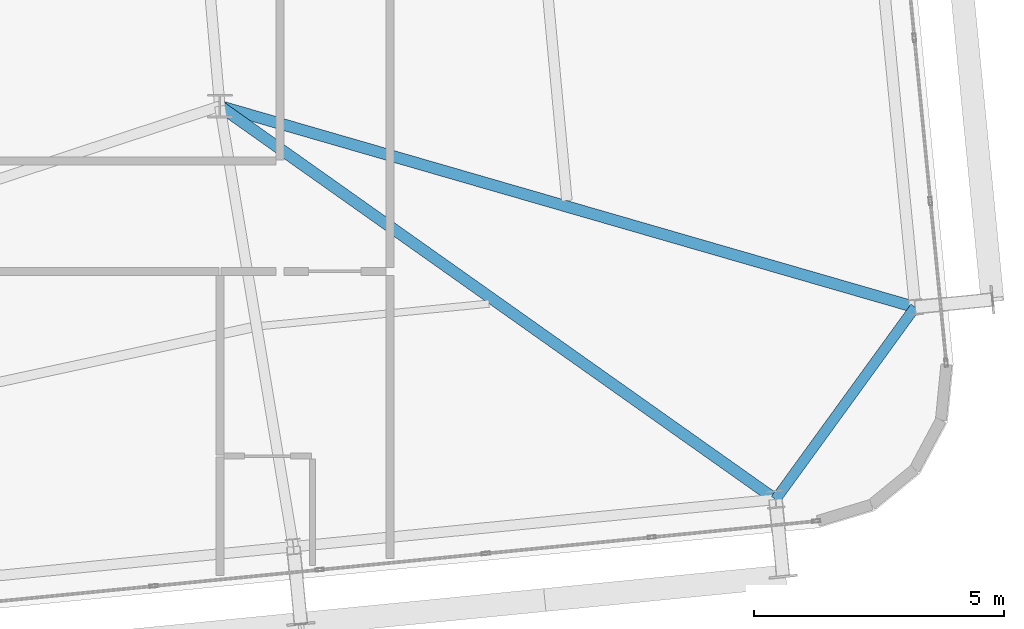
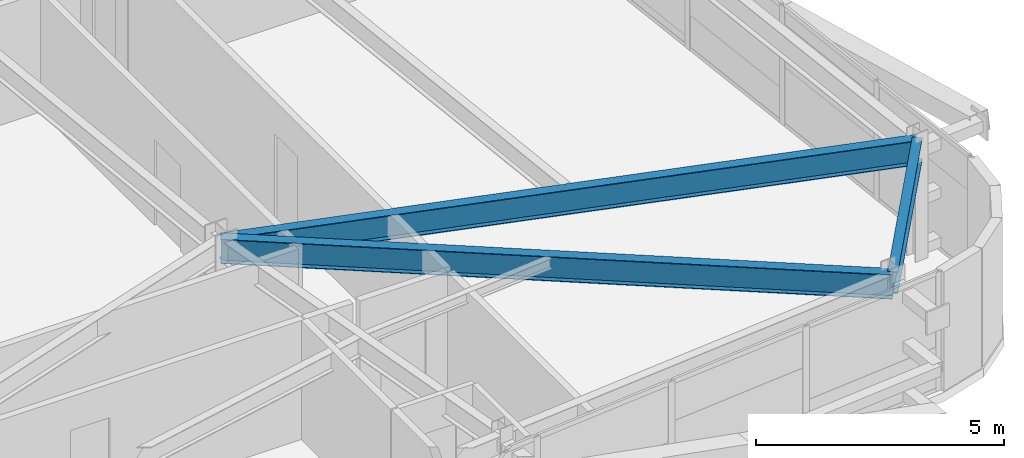
# One storey, part 21 of 53: 3 beams.
"""IFC4 building model written with IfcOpenShell, lengths in metres."""

from ifc_helpers import new_model, si_unit, direction, frame, origin, origin_2d, place, context, subcontext, project, spatial, i_section, extrude, source, transform, mapped, material, material_profile, profile_set, type_object, element, save


model = new_model("IFC4")

# Units and contexts
model_context = context("Model", 3, precision=1e-05, world=origin(), true_north=direction((0.0, 1.0)))
body_context = subcontext(model_context, "Body", "Model", "MODEL_VIEW")
ifc_project = project(units=[si_unit("LENGTHUNIT", "METRE"), si_unit("AREAUNIT", "SQUARE_METRE"), si_unit("VOLUMEUNIT", "CUBIC_METRE"), si_unit("PLANEANGLEUNIT", "RADIAN"), si_unit("MASSUNIT", "GRAM", prefix="KILO")], contexts=[model_context])

# Site, building, storey
site_placement = place(None, origin())
site = spatial("IfcSite", under=ifc_project, at=site_placement, CompositionType="ELEMENT")
building_placement = place(site_placement, origin())
building = spatial("IfcBuilding", under=site, at=building_placement, Name="Taldren Reach Tower", CompositionType="ELEMENT")
storey_placement = place(building_placement, frame((0.0, 0.0, 84.0)))
storey = spatial("IfcBuildingStorey", under=building, at=storey_placement, Name="L25", CompositionType="ELEMENT", Elevation=84.0)

# Beams
ifc_material = material(Name="Steel Gr 350 (350PLUS)", Category="steel")
ifc_material_profile_1 = material_profile(ifc_material, i_section(OverallWidth=0.208984375, OverallDepth=0.528076171875, WebThickness=0.009521484375, FlangeThickness=0.01318359375, at=origin_2d()), Name="530UB82.0")
ifc_profile_set_1 = profile_set([ifc_material_profile_1], Name="Steel Gr 350 (350PLUS)")
beam_type_1 = type_object("IfcBeamType", Name="SP-UB530B", PredefinedType="SPANDREL", material=ifc_profile_set_1)
shared_shape_1 = source(origin(), body_context, "Body", "SweptSolid", [
    extrude(i_section(OverallWidth=0.208984375, OverallDepth=0.528076171875, WebThickness=0.009521484375, FlangeThickness=0.01318359375, at=origin_2d()), origin(), (0.0, 0.0, 1.0), 4.74609375),
])
beam_1_placement = place(storey_placement, frame((63.103271484375, 4.64306640625, 2.666015625), z_axis=(0.58750777154, 0.809218523255, 0.0), x_axis=(-0.809218523255, 0.58750777154, 0.0)))
element("IfcBeam", 1, at=beam_1_placement, inside=storey, type_object=beam_type_1, Name="Perimeter spandrel B2 S6-E1 L25", PredefinedType="SPANDREL", context=body_context, shape_type="MappedRepresentation", body=[
    mapped(shared_shape_1, transform((0.0, 0.0, 0.0), scale=1.0)),
])
ifc_material_profile_2 = material_profile(ifc_material, i_section(OverallWidth=0.22802734375, OverallDepth=0.60205078125, WebThickness=0.010498046875, FlangeThickness=0.014892578125, at=origin_2d()), Name="610UB101")
ifc_profile_set_2 = profile_set([ifc_material_profile_2], Name="Steel Gr 350 (350PLUS)")
beam_type_2 = type_object("IfcBeamType", Name="BM-UB610B", PredefinedType="BEAM", material=ifc_profile_set_2)
shared_shape_2 = source(origin(), body_context, "Body", "SweptSolid", [
    extrude(i_section(OverallWidth=0.22802734375, OverallDepth=0.60205078125, WebThickness=0.010498046875, FlangeThickness=0.014892578125, at=origin_2d()), origin(), (0.0, 0.0, 1.0), 13.60205078125),
])
beam_2_placement = place(storey_placement, frame((52.0, 12.5, 2.62890625), z_axis=(0.816297773281, -0.577631323022, 0.0), x_axis=(0.577631323022, 0.816297773281, 0.0)))
element("IfcBeam", 2, at=beam_2_placement, inside=storey, type_object=beam_type_2, Name="Primary floor girder B2-S6 L25", PredefinedType="BEAM", context=body_context, shape_type="MappedRepresentation", body=[
    mapped(shared_shape_2, transform((0.0, 0.0, 0.0), scale=1.0)),
])
shared_shape_3 = source(origin(), body_context, "Body", "SweptSolid", [
    extrude(i_section(OverallWidth=0.22802734375, OverallDepth=0.60205078125, WebThickness=0.010498046875, FlangeThickness=0.014892578125, at=origin_2d()), origin(), (0.0, 0.0, 1.0), 14.46044921875),
])
beam_3_placement = place(storey_placement, frame((52.0, 12.5, 2.62890625), z_axis=(0.960654638583, -0.277745684698, 0.0), x_axis=(0.277745684698, 0.960654638583, 0.0)))
element("IfcBeam", 3, at=beam_3_placement, inside=storey, type_object=beam_type_2, Name="Primary floor girder B2-E1 L25", PredefinedType="BEAM", context=body_context, shape_type="MappedRepresentation", body=[
    mapped(shared_shape_3, transform((0.0, 0.0, 0.0), scale=1.0)),
])

save(model, "model.ifc")
